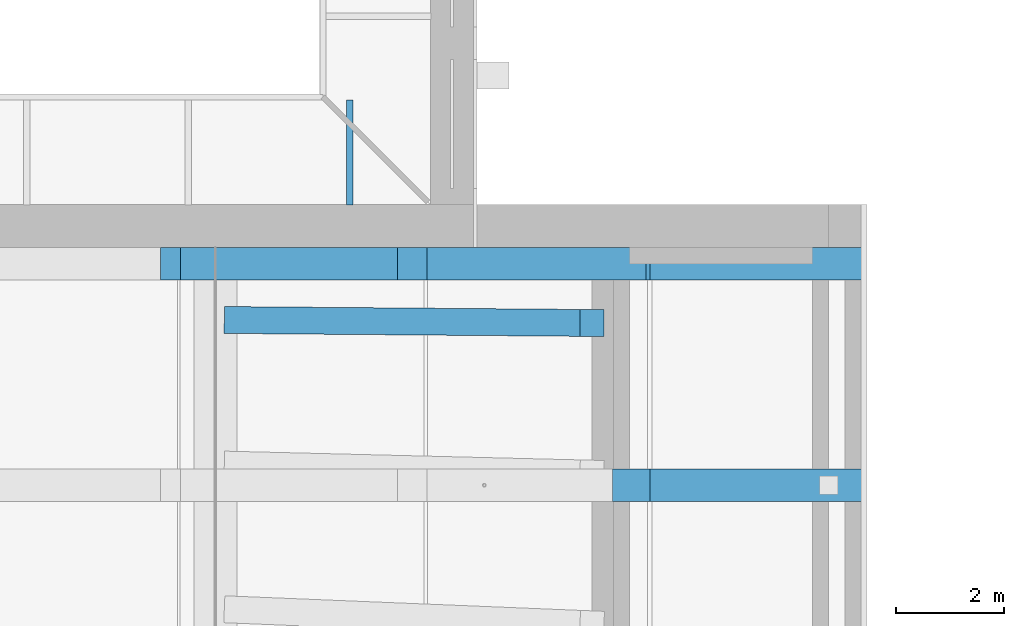
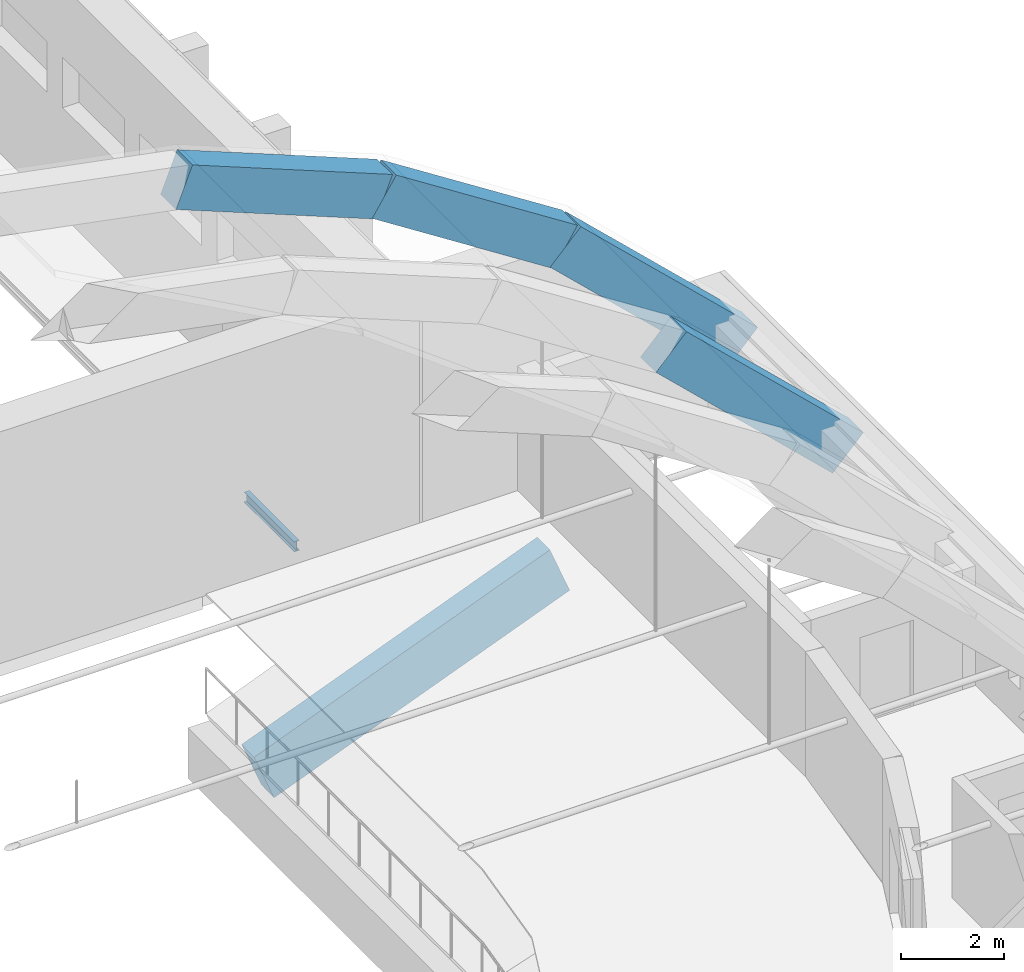
# One storey, part 46 of 94: 5 beams, 1 member.
"""IFC4 building model written with IfcOpenShell, lengths in metres."""

from ifc_helpers import new_model, si_unit, direction, frame, origin, origin_2d, place, context, subcontext, project, spatial, rectangle, i_section, extrude, material, material_profile, profile_set, type_object, element, save


model = new_model("IFC4")

# Units and contexts
model_context = context("Model", 3, precision=1e-05, world=origin(), true_north=direction((0.0, 1.0)))
body_context = subcontext(model_context, "Body", "Model", "MODEL_VIEW")
ifc_project = project(units=[si_unit("LENGTHUNIT", "METRE"), si_unit("AREAUNIT", "SQUARE_METRE"), si_unit("VOLUMEUNIT", "CUBIC_METRE"), si_unit("PLANEANGLEUNIT", "RADIAN"), si_unit("MASSUNIT", "GRAM", prefix="KILO")], contexts=[model_context])

# Site, building, storey
site_placement = place(None, origin())
site = spatial("IfcSite", under=ifc_project, at=site_placement, CompositionType="ELEMENT")
building_placement = place(site_placement, origin())
building = spatial("IfcBuilding", under=site, at=building_placement, Name="Lunette Opera House", CompositionType="ELEMENT")
storey_placement = place(building_placement, frame((0.0, 0.0, 22.5)))
storey = spatial("IfcBuildingStorey", under=building, at=storey_placement, Name="L04", CompositionType="ELEMENT", Elevation=22.5)

# Beams
ifc_material_1 = material(Name="Concrete C40/50", Category="concrete")
ifc_material_profile_1 = material_profile(ifc_material_1, rectangle(XDim=0.60009765625, YDim=1.0, at=origin_2d()), Name="ARCH BEAM 600X1000")
ifc_profile_set_1 = profile_set([ifc_material_profile_1], Name="Concrete C40/50")
beam_type_1 = type_object("IfcBeamType", Name="ARCH BEAM 600X1000", PredefinedType="BEAM", material=ifc_profile_set_1)
beam_1_placement = place(storey_placement, frame((111.72998046875, 90.785888671875, 5.931884765625), z_axis=(0.723596948656, 0.0, -0.69022275817), x_axis=(0.0, 1.0, 0.0)))
element("IfcBeam", 1, at=beam_1_placement, inside=storey, type_object=beam_type_1, Name="beam-AU-L04-EA7-9", PredefinedType="BEAM", context=body_context, shape_type="SweptSolid", body=[
    extrude(rectangle(XDim=0.60009765625, YDim=1.0, at=origin_2d()), origin(), (0.0, 0.0, 1.0), 5.486328125),
])
beam_2_placement = place(storey_placement, frame((103.1689453125, 94.89990234375, 10.346923828125), z_axis=(0.92830257193, 0.0, -0.371825678172), x_axis=(0.0, 1.0, 0.0)))
element("IfcBeam", 2, at=beam_2_placement, inside=storey, type_object=beam_type_1, Name="beam-AU-L04-EA8-7", PredefinedType="BEAM", context=body_context, shape_type="SweptSolid", body=[
    extrude(rectangle(XDim=0.60009765625, YDim=1.0, at=origin_2d()), origin(), (0.0, 0.0, 1.0), 4.837890625),
])
beam_3_placement = place(storey_placement, frame((107.659912109375, 94.89990234375, 8.548095703125), z_axis=(0.84120306647, 0.0, -0.54071933659), x_axis=(0.0, 1.0, 0.0)))
element("IfcBeam", 3, at=beam_3_placement, inside=storey, type_object=beam_type_1, Name="beam-AU-L04-EA8-8", PredefinedType="BEAM", context=body_context, shape_type="SweptSolid", body=[
    extrude(rectangle(XDim=0.60009765625, YDim=1.0, at=origin_2d()), origin(), (0.0, 0.0, 1.0), 4.83837890625),
])
beam_4_placement = place(storey_placement, frame((111.72998046875, 94.89990234375, 5.931884765625), z_axis=(0.723596948656, 0.0, -0.69022275817), x_axis=(0.0, 1.0, 0.0)))
element("IfcBeam", 4, at=beam_4_placement, inside=storey, type_object=beam_type_1, Name="beam-AU-L04-EA8-9", PredefinedType="BEAM", context=body_context, shape_type="SweptSolid", body=[
    extrude(rectangle(XDim=0.60009765625, YDim=1.0, at=origin_2d()), origin(), (0.0, 0.0, 1.0), 5.486328125),
])

# Member
ifc_material_2 = material(Name="Steel S355", Category="steel")
ifc_material_profile_2 = material_profile(ifc_material_2, i_section(OverallWidth=0.1201171875, OverallDepth=0.239990234375, WebThickness=0.006103515625, FlangeThickness=0.009765625, FilletRadius=0.014892578125, at=origin_2d()), Name="IPE 240")
ifc_profile_set_2 = profile_set([ifc_material_profile_2], Name="Steel S355")
member_type = type_object("IfcMemberType", Name="BRACKET IPE 240", PredefinedType="MEMBER", material=ifc_profile_set_2)
member_placement = place(storey_placement, frame((106.5, 95.989990234375, -0.179931640625), z_axis=(0.0, 1.0, 0.0), x_axis=(-1.0, 0.0, 0.0)))
element("IfcMember", 5, at=member_placement, inside=storey, type_object=member_type, Name="mem-ST-L04-FG3-BKS1065-959", PredefinedType="MEMBER", context=body_context, shape_type="SweptSolid", body=[
    extrude(i_section(OverallWidth=0.1201171875, OverallDepth=0.239990234375, WebThickness=0.006103515625, FlangeThickness=0.009765625, FilletRadius=0.014892578125, at=origin_2d()), origin(), (0.0, 0.0, 1.0), 1.949951171875),
])

# Beam
ifc_material_3 = material(Name="Concrete C35/45", Category="concrete")
ifc_material_profile_3 = material_profile(ifc_material_3, rectangle(XDim=0.5, YDim=1.199951171875, at=origin_2d()), Name="RAKER BEAM 500X1200")
ifc_profile_set_3 = profile_set([ifc_material_profile_3], Name="Concrete C35/45")
beam_type_2 = type_object("IfcBeamType", Name="RAKER BEAM 500X1200", PredefinedType="BEAM", material=ifc_profile_set_3)
beam_5_placement = place(storey_placement, frame((111.0, 93.800048828125, -0.845947265625), z_axis=(-0.928450027706, 0.007578484067, -0.371380011082), x_axis=(-0.008162239635, -0.999966688367, 0.0)))
element("IfcBeam", 6, at=beam_5_placement, inside=storey, type_object=beam_type_2, Name="beam-AU-L04-RKT3-14-4", PredefinedType="BEAM", context=body_context, shape_type="SweptSolid", body=[
    extrude(rectangle(XDim=0.5, YDim=1.199951171875, at=origin_2d()), origin(), (0.0, 0.0, 1.0), 7.11962890625),
])

save(model, "model.ifc")
